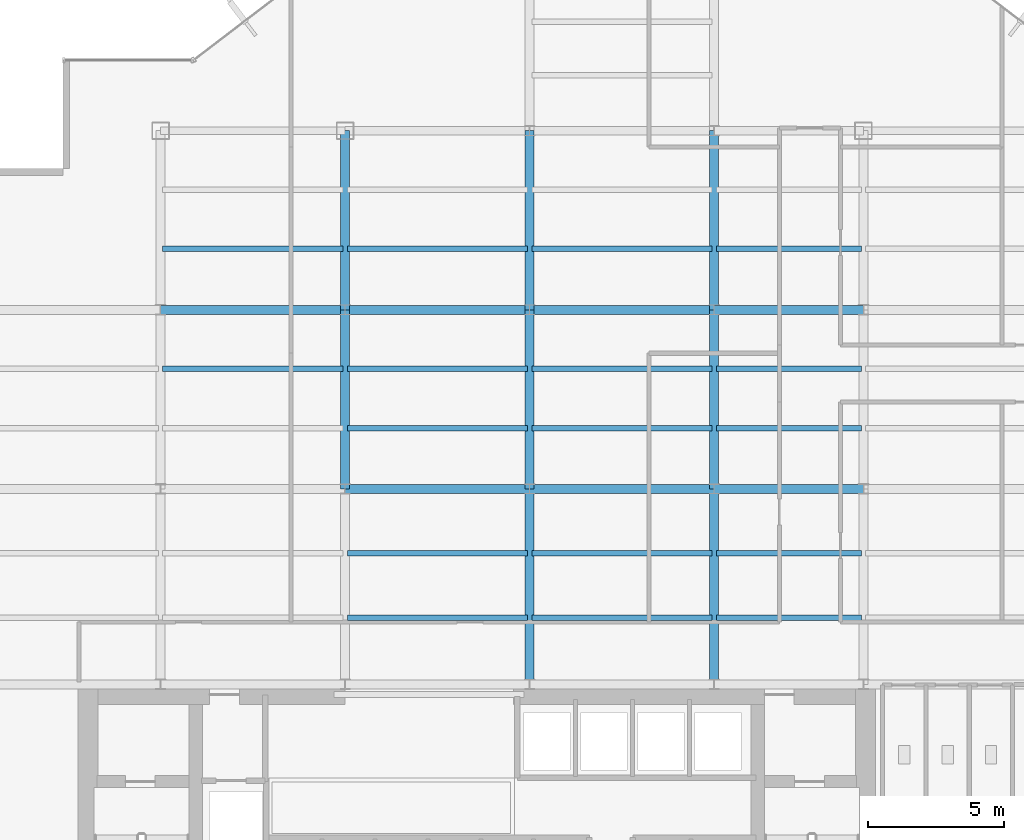
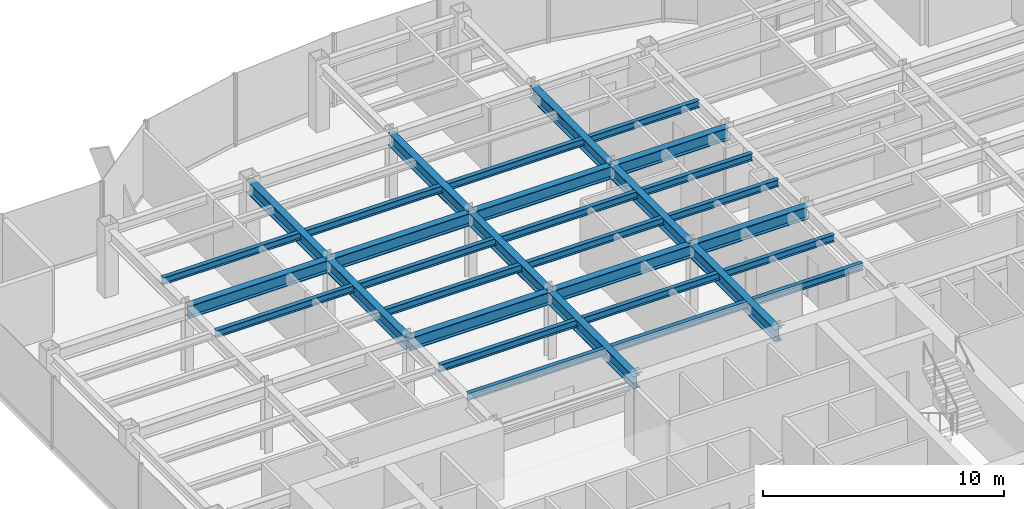
# One storey, part 8 of 25: 32 beams.
"""IFC4 building model written with IfcOpenShell, lengths in metres."""

from ifc_helpers import new_model, si_unit, derived_unit, direction, frame, origin, origin_2d, place, context, subcontext, project, spatial, i_section, extrude, source, transform, mapped, material, material_profile, profile_set, type_object, element, save


model = new_model("IFC4")

# Units and contexts
model_context = context("Model", 3, precision=1e-05, world=origin(), true_north=direction((0.0, 1.0)))
body_context = subcontext(model_context, "Body", "Model", "MODEL_VIEW")
ifc_project = project(units=[si_unit("LENGTHUNIT", "METRE"), si_unit("AREAUNIT", "SQUARE_METRE"), si_unit("VOLUMEUNIT", "CUBIC_METRE"), si_unit("PLANEANGLEUNIT", "RADIAN"), si_unit("MASSUNIT", "GRAM", prefix="KILO"), derived_unit("THERMALTRANSMITTANCEUNIT", [(si_unit("POWERUNIT", "WATT"), 1), (si_unit("LENGTHUNIT", "METRE"), -2), (si_unit("THERMODYNAMICTEMPERATUREUNIT", "KELVIN"), -1)])], contexts=[model_context])

# Site, building, storey
site_placement = place(None, origin())
site = spatial("IfcSite", under=ifc_project, at=site_placement, CompositionType="ELEMENT")
building_placement = place(site_placement, origin())
building = spatial("IfcBuilding", under=site, at=building_placement, Name="Skarnbrae Concourse Arena and Tower", CompositionType="ELEMENT")
storey_placement = place(building_placement, frame((0.0, 0.0, 151.550048828125)))
storey = spatial("IfcBuildingStorey", under=building, at=storey_placement, Name="L38", CompositionType="ELEMENT", Elevation=151.550048828125)

# Beams
ifc_material = material(Name="Steel CSA G40.21 350W", Category="steel")
ifc_material_profile_1 = material_profile(ifc_material, i_section(OverallWidth=0.3291015625, OverallDepth=0.635009765625, WebThickness=0.017822265625, FlangeThickness=0.031005859375, at=origin_2d()), Name="W610X241")
ifc_profile_set_1 = profile_set([ifc_material_profile_1], Name="Steel CSA G40.21 350W")
beam_type_1 = type_object("IfcBeamType", Name="BM-GIRD-W610X241", PredefinedType="BEAM", material=ifc_profile_set_1)
shared_shape_1 = source(origin(), body_context, "Body", "SweptSolid", [
    extrude(i_section(OverallWidth=0.3291015625, OverallDepth=0.635009765625, WebThickness=0.017822265625, FlangeThickness=0.031005859375, at=origin_2d()), origin(), (0.0, 0.0, 1.0), 6.60009765625),
])
for number, where, z_axis, x_axis, name in (
    (1, (14.39990234375, 21.199951171875, 3.08251953125), (0.0, 1.0, 0.0), (-1.0, 0.0, 0.0), "L38 Primary N-S girder X14.4-2"),
    (2, (21.199951171875, 21.199951171875, 3.08251953125), (0.0, 1.0, 0.0), (-1.0, 0.0, 0.0), "L38 Primary N-S girder X21.2-2"),
    (3, (28.0, 21.199951171875, 3.08251953125), (0.0, 1.0, 0.0), (-1.0, 0.0, 0.0), "L38 Primary N-S girder X28.0-2"),
):
    element("IfcBeam", number, at=place(storey_placement, frame(where, z_axis=z_axis, x_axis=x_axis)), inside=storey, type_object=beam_type_1, Name=name, PredefinedType="BEAM", context=body_context, shape_type="MappedRepresentation", body=[
        mapped(shared_shape_1, transform((0.0, 0.0, 0.0))),
    ])
shared_shape_2 = source(origin(), body_context, "Body", "SweptSolid", [
    extrude(i_section(OverallWidth=0.3291015625, OverallDepth=0.635009765625, WebThickness=0.017822265625, FlangeThickness=0.031005859375, at=origin_2d()), origin(), (0.0, 0.0, 1.0), 6.7998046875),
])
beam_placement = place(storey_placement, frame((7.60009765625, 27.800048828125, 3.08251953125), z_axis=(1.0, 0.0, 0.0), x_axis=(0.0, 1.0, 0.0)))
element("IfcBeam", 4, at=beam_placement, inside=storey, type_object=beam_type_1, Name="L38 Primary E-W girder Y27.8-2", PredefinedType="BEAM", context=body_context, shape_type="MappedRepresentation", body=[
    mapped(shared_shape_2, transform((0.0, 0.0, 0.0))),
])
shared_shape_3 = source(origin(), body_context, "Body", "SweptSolid", [
    extrude(i_section(OverallWidth=0.3291015625, OverallDepth=0.635009765625, WebThickness=0.017822265625, FlangeThickness=0.031005859375, at=origin_2d()), origin(), (0.0, 0.0, 1.0), 6.800048828125),
])
for number, where, z_axis, x_axis, name in (
    (5, (14.39990234375, 21.199951171875, 3.08251953125), (1.0, 0.0, 0.0), (0.0, 1.0, 0.0), "L38 Primary E-W girder Y21.2-3"),
    (6, (21.199951171875, 21.199951171875, 3.08251953125), (1.0, 0.0, 0.0), (0.0, 1.0, 0.0), "L38 Primary E-W girder Y21.2-4"),
    (7, (14.39990234375, 27.800048828125, 3.08251953125), (1.0, 0.0, 0.0), (0.0, 1.0, 0.0), "L38 Primary E-W girder Y27.8-3"),
    (8, (21.199951171875, 27.800048828125, 3.08251953125), (1.0, 0.0, 0.0), (0.0, 1.0, 0.0), "L38 Primary E-W girder Y27.8-4"),
):
    element("IfcBeam", number, at=place(storey_placement, frame(where, z_axis=z_axis, x_axis=x_axis)), inside=storey, type_object=beam_type_1, Name=name, PredefinedType="BEAM", context=body_context, shape_type="MappedRepresentation", body=[
        mapped(shared_shape_3, transform((0.0, 0.0, 0.0))),
    ])
shared_shape_4 = source(origin(), body_context, "Body", "SweptSolid", [
    extrude(i_section(OverallWidth=0.3291015625, OverallDepth=0.635009765625, WebThickness=0.017822265625, FlangeThickness=0.031005859375, at=origin_2d()), origin(), (0.0, 0.0, 1.0), 5.5),
])
for number, where, z_axis, x_axis, name in (
    (9, (28.0, 21.199951171875, 3.08251953125), (1.0, 0.0, 0.0), (0.0, 1.0, 0.0), "L38 Primary E-W girder Y21.2-5"),
    (10, (28.0, 27.800048828125, 3.08251953125), (1.0, 0.0, 0.0), (0.0, 1.0, 0.0), "L38 Primary E-W girder Y27.8-5"),
):
    element("IfcBeam", number, at=place(storey_placement, frame(where, z_axis=z_axis, x_axis=x_axis)), inside=storey, type_object=beam_type_1, Name=name, PredefinedType="BEAM", context=body_context, shape_type="MappedRepresentation", body=[
        mapped(shared_shape_4, transform((0.0, 0.0, 0.0))),
    ])
shared_shape_5 = source(origin(), body_context, "Body", "SweptSolid", [
    extrude(i_section(OverallWidth=0.3291015625, OverallDepth=0.635009765625, WebThickness=0.017822265625, FlangeThickness=0.031005859375, at=origin_2d()), origin(), (0.0, 0.0, 1.0), 7.199951171875),
])
for number, where, z_axis, x_axis, name in (
    (11, (21.199951171875, 14.0, 3.08251953125), (0.0, 1.0, 0.0), (-1.0, 0.0, 0.0), "L38 Primary N-S girder X21.2-1"),
    (12, (28.0, 14.0, 3.08251953125), (0.0, 1.0, 0.0), (-1.0, 0.0, 0.0), "L38 Primary N-S girder X28.0-1"),
):
    element("IfcBeam", number, at=place(storey_placement, frame(where, z_axis=z_axis, x_axis=x_axis)), inside=storey, type_object=beam_type_1, Name=name, PredefinedType="BEAM", context=body_context, shape_type="MappedRepresentation", body=[
        mapped(shared_shape_5, transform((0.0, 0.0, 0.0))),
    ])
shared_shape_6 = source(origin(), body_context, "Body", "SweptSolid", [
    extrude(i_section(OverallWidth=0.3291015625, OverallDepth=0.635009765625, WebThickness=0.017822265625, FlangeThickness=0.031005859375, at=origin_2d()), origin(), (0.0, 0.0, 1.0), 6.599853515625),
])
for number, where, z_axis, x_axis, name in (
    (13, (14.39990234375, 27.800048828125, 3.08251953125), (0.0, 1.0, 0.0), (-1.0, 0.0, 0.0), "L38 Primary N-S girder X14.4-3"),
    (14, (21.199951171875, 27.800048828125, 3.08251953125), (0.0, 1.0, 0.0), (-1.0, 0.0, 0.0), "L38 Primary N-S girder X21.2-3"),
    (15, (28.0, 27.800048828125, 3.08251953125), (0.0, 1.0, 0.0), (-1.0, 0.0, 0.0), "L38 Primary N-S girder X28.0-3"),
):
    element("IfcBeam", number, at=place(storey_placement, frame(where, z_axis=z_axis, x_axis=x_axis)), inside=storey, type_object=beam_type_1, Name=name, PredefinedType="BEAM", context=body_context, shape_type="MappedRepresentation", body=[
        mapped(shared_shape_6, transform((0.0, 0.0, 0.0))),
    ])
ifc_material_profile_2 = material_profile(ifc_material, i_section(OverallWidth=0.205078125, OverallDepth=0.35400390625, WebThickness=0.009521484375, FlangeThickness=0.016845703125, at=origin_2d()), Name="W360X79")
ifc_profile_set_2 = profile_set([ifc_material_profile_2], Name="Steel CSA G40.21 350W")
beam_type_2 = type_object("IfcBeamType", Name="BM-JOIST-W360X79", PredefinedType="JOIST", material=ifc_profile_set_2)
shared_shape_7 = source(origin(), body_context, "Body", "SweptSolid", [
    extrude(i_section(OverallWidth=0.205078125, OverallDepth=0.35400390625, WebThickness=0.009521484375, FlangeThickness=0.016845703125, at=origin_2d()), origin(), (0.0, 0.0, 1.0), 6.64013671875),
])
for number, where, z_axis, x_axis, name in (
    (16, (14.47998046875, 16.447998046875, 3.222900390625), (1.0, 0.0, 0.0), (0.0, 1.0, 0.0), "L38 Secondary floor joist 1.1.3"),
    (17, (14.47998046875, 18.823974609375, 3.222900390625), (1.0, 0.0, 0.0), (0.0, 1.0, 0.0), "L38 Secondary floor joist 1.2.3"),
    (18, (14.47998046875, 23.444091796875, 3.222900390625), (1.0, 0.0, 0.0), (0.0, 1.0, 0.0), "L38 Secondary floor joist 2.1.3"),
    (19, (7.679931640625, 25.6220703125, 3.222900390625), (1.0, 0.0, 0.0), (0.0, 1.0, 0.0), "L38 Secondary floor joist 2.2.2"),
    (20, (14.47998046875, 25.6220703125, 3.222900390625), (1.0, 0.0, 0.0), (0.0, 1.0, 0.0), "L38 Secondary floor joist 2.2.3"),
    (21, (7.679931640625, 30.0439453125, 3.222900390625), (1.0, 0.0, 0.0), (0.0, 1.0, 0.0), "L38 Secondary floor joist 3.1.1"),
    (22, (14.47998046875, 30.0439453125, 3.222900390625), (1.0, 0.0, 0.0), (0.0, 1.0, 0.0), "L38 Secondary floor joist 3.1.2"),
):
    element("IfcBeam", number, at=place(storey_placement, frame(where, z_axis=z_axis, x_axis=x_axis)), inside=storey, type_object=beam_type_2, Name=name, PredefinedType="JOIST", context=body_context, shape_type="MappedRepresentation", body=[
        mapped(shared_shape_7, transform((0.0, 0.0, 0.0))),
    ])
shared_shape_8 = source(origin(), body_context, "Body", "SweptSolid", [
    extrude(i_section(OverallWidth=0.205078125, OverallDepth=0.35400390625, WebThickness=0.009521484375, FlangeThickness=0.016845703125, at=origin_2d()), origin(), (0.0, 0.0, 1.0), 6.639892578125),
])
for number, where, z_axis, x_axis, name in (
    (23, (21.280029296875, 16.447998046875, 3.222900390625), (1.0, 0.0, 0.0), (0.0, 1.0, 0.0), "L38 Secondary floor joist 1.1.4"),
    (24, (21.280029296875, 18.823974609375, 3.222900390625), (1.0, 0.0, 0.0), (0.0, 1.0, 0.0), "L38 Secondary floor joist 1.2.4"),
    (25, (21.280029296875, 23.444091796875, 3.222900390625), (1.0, 0.0, 0.0), (0.0, 1.0, 0.0), "L38 Secondary floor joist 2.1.4"),
    (26, (21.280029296875, 25.6220703125, 3.222900390625), (1.0, 0.0, 0.0), (0.0, 1.0, 0.0), "L38 Secondary floor joist 2.2.4"),
    (27, (21.280029296875, 30.0439453125, 3.222900390625), (1.0, 0.0, 0.0), (0.0, 1.0, 0.0), "L38 Secondary floor joist 3.1.3"),
):
    element("IfcBeam", number, at=place(storey_placement, frame(where, z_axis=z_axis, x_axis=x_axis)), inside=storey, type_object=beam_type_2, Name=name, PredefinedType="JOIST", context=body_context, shape_type="MappedRepresentation", body=[
        mapped(shared_shape_8, transform((0.0, 0.0, 0.0))),
    ])
shared_shape_9 = source(origin(), body_context, "Body", "SweptSolid", [
    extrude(i_section(OverallWidth=0.205078125, OverallDepth=0.35400390625, WebThickness=0.009521484375, FlangeThickness=0.016845703125, at=origin_2d()), origin(), (0.0, 0.0, 1.0), 5.33984375),
])
for number, where, z_axis, x_axis, name in (
    (28, (28.080078125, 16.447998046875, 3.222900390625), (1.0, 0.0, 0.0), (0.0, 1.0, 0.0), "L38 Secondary floor joist 1.1.5"),
    (29, (28.080078125, 18.823974609375, 3.222900390625), (1.0, 0.0, 0.0), (0.0, 1.0, 0.0), "L38 Secondary floor joist 1.2.5"),
    (30, (28.080078125, 23.444091796875, 3.222900390625), (1.0, 0.0, 0.0), (0.0, 1.0, 0.0), "L38 Secondary floor joist 2.1.5"),
    (31, (28.080078125, 25.6220703125, 3.222900390625), (1.0, 0.0, 0.0), (0.0, 1.0, 0.0), "L38 Secondary floor joist 2.2.5"),
    (32, (28.080078125, 30.0439453125, 3.222900390625), (1.0, 0.0, 0.0), (0.0, 1.0, 0.0), "L38 Secondary floor joist 3.1.4"),
):
    element("IfcBeam", number, at=place(storey_placement, frame(where, z_axis=z_axis, x_axis=x_axis)), inside=storey, type_object=beam_type_2, Name=name, PredefinedType="JOIST", context=body_context, shape_type="MappedRepresentation", body=[
        mapped(shared_shape_9, transform((0.0, 0.0, 0.0))),
    ])

save(model, "model.ifc")
